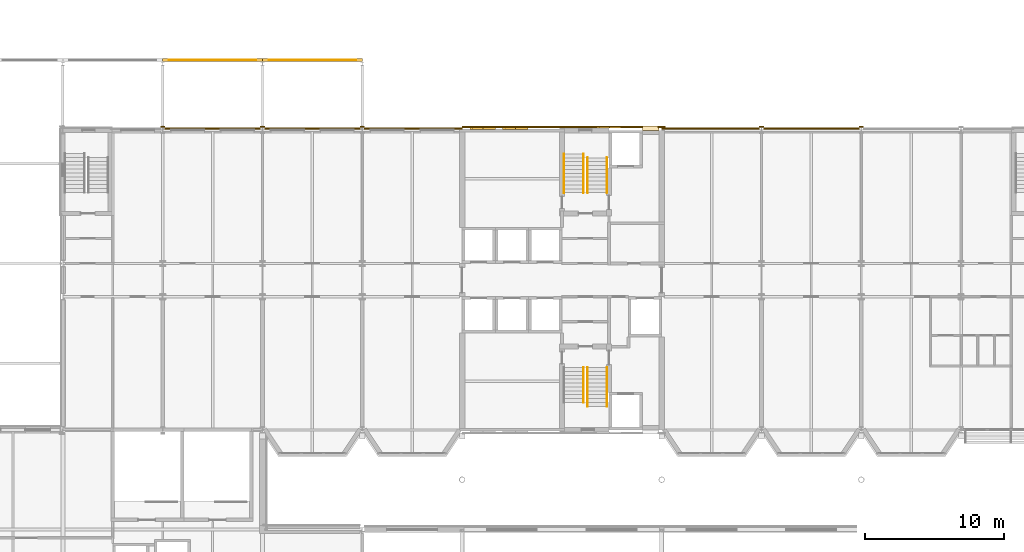
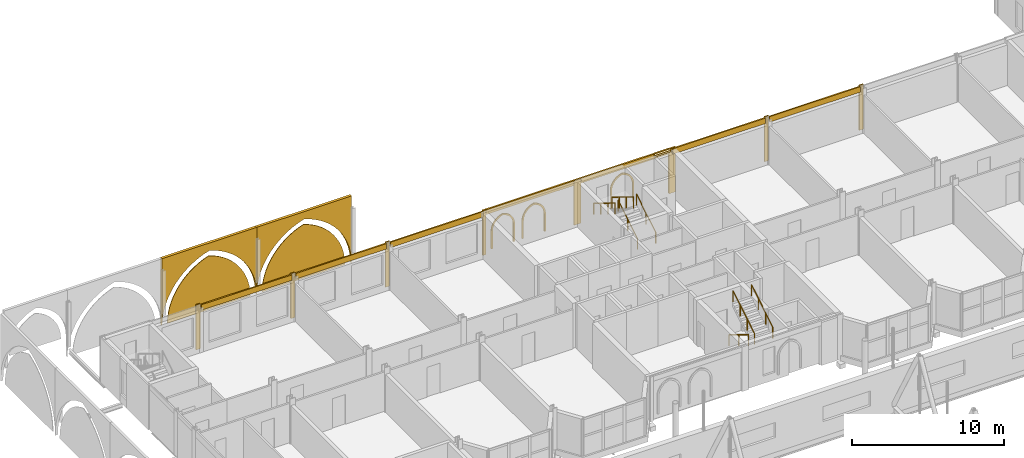
# One storey, part 129 of 142: 23 coverings, 7 railings.
"""IFC4 building model written with IfcOpenShell, lengths in metres."""

from ifc_helpers import new_model, si_unit, direction, frame, origin, origin_2d, place, context, subcontext, project, spatial, polyline, rectangle, circle, outline, extrude, material, layer, layer_set, type_object, element, save


model = new_model("IFC4")

# Units and contexts
model_context = context("Model", 3, precision=1e-05, world=origin(), true_north=direction((0.0, 1.0)))
body_context = subcontext(model_context, "Body", "Model", "MODEL_VIEW")
ifc_project = project(units=[si_unit("LENGTHUNIT", "METRE"), si_unit("AREAUNIT", "SQUARE_METRE"), si_unit("VOLUMEUNIT", "CUBIC_METRE"), si_unit("PLANEANGLEUNIT", "RADIAN"), si_unit("MASSUNIT", "GRAM", prefix="KILO")], contexts=[model_context])

# Site, building, storey
site_placement = place(None, origin())
site = spatial("IfcSite", under=ifc_project, at=site_placement, CompositionType="ELEMENT")
building_placement = place(site_placement, origin())
building = spatial("IfcBuilding", under=site, at=building_placement, Name="Kupolbacken Congress Centre", CompositionType="ELEMENT")
storey_placement = place(building_placement, frame((0.0, 0.0, 14.39990234375)))
storey = spatial("IfcBuildingStorey", under=building, at=storey_placement, Name="L04", CompositionType="ELEMENT", Elevation=14.39990234375)

# Coverings
ifc_material_1 = material(Name="Limestone cladding", Category="masonry")
ifc_layer_1 = layer(ifc_material_1, 0.1201171875)
ifc_layer_set_1 = layer_set([ifc_layer_1], Name="Limestone cladding")
covering_type_1 = type_object("IfcCoveringType", Name="CV1 limestone cladding band 120", PredefinedType="CLADDING", material=ifc_layer_set_1)
covering_1_placement = place(storey_placement, frame((118.800048828125, 144.137451171875, 3.16015625), z_axis=(0.0, 0.0, 1.0), x_axis=(-1.0, 0.0, 0.0)))
element("IfcCovering", 1, at=covering_1_placement, inside=storey, type_object=covering_type_1, Name="E/T/N/L04/049/band", PredefinedType="CLADDING", context=body_context, shape_type="SweptSolid", body=[
    extrude(rectangle(XDim=6.89306640625, YDim=0.10498046875, at=origin_2d()), origin(), (0.0, 0.0, 1.0), 0.43994140625),
])
covering_2_placement = place(storey_placement, frame((111.523193359375, 144.137451171875, 3.16015625), z_axis=(0.0, 0.0, 1.0), x_axis=(-1.0, 0.0, 0.0)))
element("IfcCovering", 2, at=covering_2_placement, inside=storey, type_object=covering_type_1, Name="E/T/N/L04/050/band", PredefinedType="CLADDING", context=body_context, shape_type="SweptSolid", body=[
    extrude(rectangle(XDim=7.04638671875, YDim=0.10498046875, at=origin_2d()), origin(), (0.0, 0.0, 1.0), 0.43994140625),
])
covering_3_placement = place(storey_placement, frame((107.199951171875, 144.155029296875, 3.4599609375), z_axis=(0.0, 0.0, 1.0), x_axis=(-1.0, 0.0, 0.0)))
element("IfcCovering", 3, at=covering_3_placement, inside=storey, type_object=covering_type_1, Name="E/T/N/L04/051/band", PredefinedType="CLADDING", context=body_context, shape_type="SweptSolid", body=[
    extrude(rectangle(XDim=1.199951171875, YDim=0.31005859375, at=origin_2d()), origin(), (0.0, 0.0, 1.0), 0.139892578125),
])
covering_4_placement = place(storey_placement, frame((90.07666015625, 144.137451171875, 3.16015625), z_axis=(0.0, 0.0, 1.0), x_axis=(-1.0, 0.0, 0.0)))
element("IfcCovering", 4, at=covering_4_placement, inside=storey, type_object=covering_type_1, Name="E/T/N/L04/052/band", PredefinedType="CLADDING", context=body_context, shape_type="SweptSolid", body=[
    extrude(rectangle(XDim=7.04638671875, YDim=0.10498046875, at=origin_2d()), origin(), (0.0, 0.0, 1.0), 0.43994140625),
])
for number, where, z_axis, x_axis, name in (
    (5, (82.800048828125, 144.137451171875, 3.16015625), (0.0, 0.0, 1.0), (-1.0, 0.0, 0.0), "E/T/N/L04/053/band"),
    (6, (75.60009765625, 144.137451171875, 3.16015625), (0.0, 0.0, 1.0), (-1.0, 0.0, 0.0), "E/T/N/L04/054/band"),
):
    element("IfcCovering", number, at=place(storey_placement, frame(where, z_axis=z_axis, x_axis=x_axis)), inside=storey, type_object=covering_type_1, Name=name, PredefinedType="CLADDING", context=body_context, shape_type="SweptSolid", body=[
        extrude(rectangle(XDim=6.89306640625, YDim=0.10498046875, at=origin_2d()), origin(), (0.0, 0.0, 1.0), 0.43994140625),
    ])
for number, where, z_axis, x_axis, name in (
    (7, (72.0, 148.97509765625, -7.199951171875), (0.0, 1.0, 0.0), (-1.0, 0.0, 0.0), "E/T/portal/N/spandrel72"),
    (8, (79.199951171875, 148.97509765625, -7.199951171875), (0.0, 1.0, 0.0), (-1.0, 0.0, 0.0), "E/T/portal/N/spandrel79.2"),
):
    element("IfcCovering", number, at=place(storey_placement, frame(where, z_axis=z_axis, x_axis=x_axis)), inside=storey, type_object=covering_type_1, Name=name, PredefinedType="CLADDING", context=body_context, shape_type="SweptSolid", body=[
        extrude(outline(polyline([(0.0, 6.199951171875), (0.0, 11.60009765625), (-7.199951171875, 11.60009765625), (-7.199951171875, 6.199951171875), (-7.178955078125, 6.658935546875), (-7.11572265625, 7.114013671875), (-7.010986328125, 7.5615234375), (-6.86572265625, 7.997314453125), (-6.68115234375, 8.418212890625), (-6.45849609375, 8.820068359375), (-6.199951171875, 9.199951171875), (-5.90771484375, 9.554443359375), (-5.583984375, 9.880615234375), (-5.23193359375, 10.17578125), (-4.854248046875, 10.4375), (-4.4541015625, 10.6630859375), (-4.03466796875, 10.851318359375), (-3.60009765625, 11.0), (-3.165283203125, 10.851318359375), (-2.74609375, 10.6630859375), (-2.345703125, 10.4375), (-1.968017578125, 10.17578125), (-1.615966796875, 9.880615234375), (-1.292236328125, 9.554443359375), (-1.0, 9.199951171875), (-0.741455078125, 8.820068359375), (-0.518798828125, 8.418212890625), (-0.334228515625, 7.997314453125), (-0.18896484375, 7.5615234375), (-0.084228515625, 7.114013671875), (-0.02099609375, 6.658935546875), (0.0, 6.199951171875)])), origin(), (0.0, 0.0, 1.0), 0.199951171875),
    ])
for number, where, z_axis, x_axis, name in (
    (9, (72.0, 144.26611328125, 0.0), (0.0, 0.0, 1.0), (1.0, 0.0, 0.0), "E/T/pilaster/L04/C-T-11W/N"),
    (10, (79.199951171875, 144.26611328125, 0.0), (0.0, 0.0, 1.0), (1.0, 0.0, 0.0), "E/T/pilaster/L04/C-T-12W/N"),
    (11, (86.39990234375, 144.26611328125, 0.0), (0.0, 0.0, 1.0), (1.0, 0.0, 0.0), "E/T/pilaster/L04/C-T-13W/N"),
    (12, (115.199951171875, 144.26611328125, 0.0), (0.0, 0.0, 1.0), (1.0, 0.0, 0.0), "E/T/pilaster/L04/C-T-17W/N"),
    (13, (122.39990234375, 144.26611328125, 0.0), (0.0, 0.0, 1.0), (1.0, 0.0, 0.0), "E/T/pilaster/L04/C-T-18W/N"),
):
    element("IfcCovering", number, at=place(storey_placement, frame(where, z_axis=z_axis, x_axis=x_axis)), inside=storey, type_object=covering_type_1, Name=name, PredefinedType="CLADDING", context=body_context, shape_type="SweptSolid", body=[
        extrude(rectangle(XDim=0.306884765625, YDim=0.10009765625, at=origin_2d()), origin(), (0.0, 0.0, 1.0), 3.60009765625),
    ])
covering_5_placement = place(storey_placement, frame((93.72509765625, 144.235107421875, 0.0), z_axis=(0.0, 0.0, 1.0), x_axis=(1.0, 0.0, 0.0)))
element("IfcCovering", 14, at=covering_5_placement, inside=storey, type_object=covering_type_1, Name="E/T/stripe/N/L04/pil93.6", PredefinedType="CLADDING", context=body_context, shape_type="SweptSolid", body=[
    extrude(rectangle(XDim=0.25, YDim=0.1201171875, at=origin_2d()), origin(), (0.0, 0.0, 1.0), 3.60009765625),
])
for number, where, z_axis, x_axis, name in (
    (15, (100.800048828125, 144.235107421875, 0.0), (0.0, 0.0, 1.0), (1.0, 0.0, 0.0), "E/T/stripe/N/L04/pil100.8"),
    (16, (108.0, 144.235107421875, 0.0), (0.0, 0.0, 1.0), (1.0, 0.0, 0.0), "E/T/stripe/N/L04/pil108"),
):
    element("IfcCovering", number, at=place(storey_placement, frame(where, z_axis=z_axis, x_axis=x_axis)), inside=storey, type_object=covering_type_1, Name=name, PredefinedType="CLADDING", context=body_context, shape_type="SweptSolid", body=[
        extrude(rectangle(XDim=0.5, YDim=0.1201171875, at=origin_2d()), origin(), (0.0, 0.0, 1.0), 3.60009765625),
    ])
covering_6_placement = place(storey_placement, frame((97.199951171875, 144.235107421875, 3.2001953125), z_axis=(0.0, 0.0, 1.0), x_axis=(1.0, 0.0, 0.0)))
element("IfcCovering", 17, at=covering_6_placement, inside=storey, type_object=covering_type_1, Name="E/T/stripe/N/L04/belt93.6", PredefinedType="CLADDING", context=body_context, shape_type="SweptSolid", body=[
    extrude(rectangle(XDim=6.699951171875, YDim=0.1201171875, at=origin_2d()), origin(), (0.0, 0.0, 1.0), 0.39990234375),
])
covering_7_placement = place(storey_placement, frame((94.199951171875, 144.10009765625, 0.35009765625), z_axis=(0.0, 1.0, 0.0), x_axis=(-1.0, 0.0, 0.0)))
element("IfcCovering", 18, at=covering_7_placement, inside=storey, type_object=covering_type_1, Name="E/T/stripe/N/L04/niche93.6/1", PredefinedType="CLADDING", context=body_context, shape_type="SweptSolid", body=[
    extrude(outline(polyline([(0.0, 0.0), (0.0, 1.43408203125), (-0.00537109375, 1.54443359375), (-0.021484375, 1.654052734375), (-0.048095703125, 1.761474609375), (-0.084716796875, 1.86572265625), (-0.131591796875, 1.966064453125), (-0.187744140625, 2.061279296875), (-0.2529296875, 2.15087890625), (-0.32666015625, 2.2333984375), (-0.40771484375, 2.30859375), (-0.495849609375, 2.37548828125), (-0.590087890625, 2.433837890625), (-0.689453125, 2.482421875), (-0.793212890625, 2.521240234375), (-0.89990234375, 2.550048828125), (-1.0068359375, 2.521240234375), (-1.110595703125, 2.482421875), (-1.2099609375, 2.433837890625), (-1.30419921875, 2.37548828125), (-1.39208984375, 2.30859375), (-1.473388671875, 2.2333984375), (-1.547119140625, 2.15087890625), (-1.6123046875, 2.061279296875), (-1.66845703125, 1.966064453125), (-1.715087890625, 1.86572265625), (-1.751953125, 1.761474609375), (-1.778564453125, 1.654052734375), (-1.794677734375, 1.54443359375), (-1.800048828125, 1.43408203125), (-1.800048828125, 0.0), (-1.679931640625, 0.0), (-1.679931640625, 1.43408203125), (-1.67529296875, 1.531005859375), (-1.66162109375, 1.627197265625), (-1.638671875, 1.7216796875), (-1.60693359375, 1.8134765625), (-1.566650390625, 1.90185546875), (-1.51806640625, 1.986083984375), (-1.461669921875, 2.065185546875), (-1.398193359375, 2.138916015625), (-1.327880859375, 2.205810546875), (-1.25146484375, 2.26611328125), (-1.169677734375, 2.318603515625), (-1.08349609375, 2.36328125), (-0.9931640625, 2.3994140625), (-0.89990234375, 2.427001953125), (-0.806884765625, 2.3994140625), (-0.716552734375, 2.36328125), (-0.63037109375, 2.318603515625), (-0.548583984375, 2.26611328125), (-0.47216796875, 2.205810546875), (-0.40185546875, 2.138916015625), (-0.33837890625, 2.065185546875), (-0.281982421875, 1.986083984375), (-0.2333984375, 1.90185546875), (-0.193115234375, 1.8134765625), (-0.161376953125, 1.7216796875), (-0.138427734375, 1.627197265625), (-0.12451171875, 1.531005859375), (-0.1201171875, 1.43408203125), (-0.1201171875, 0.0), (0.0, 0.0)])), origin(), (0.0, 0.0, 1.0), 0.080078125),
])
covering_8_placement = place(storey_placement, frame((96.550048828125, 144.10009765625, 0.35009765625), z_axis=(0.0, 1.0, 0.0), x_axis=(-1.0, 0.0, 0.0)))
element("IfcCovering", 19, at=covering_8_placement, inside=storey, type_object=covering_type_1, Name="E/T/stripe/N/L04/niche93.6/2", PredefinedType="CLADDING", context=body_context, shape_type="SweptSolid", body=[
    extrude(outline(polyline([(0.0, 0.0), (0.0, 1.43408203125), (-0.00537109375, 1.54443359375), (-0.021484375, 1.654052734375), (-0.048095703125, 1.761474609375), (-0.084716796875, 1.86572265625), (-0.131591796875, 1.966064453125), (-0.187744140625, 2.061279296875), (-0.2529296875, 2.15087890625), (-0.32666015625, 2.2333984375), (-0.40771484375, 2.30859375), (-0.495849609375, 2.37548828125), (-0.590087890625, 2.433837890625), (-0.689453125, 2.482421875), (-0.793212890625, 2.521240234375), (-0.89990234375, 2.550048828125), (-1.0068359375, 2.521240234375), (-1.110595703125, 2.482421875), (-1.2099609375, 2.433837890625), (-1.30419921875, 2.37548828125), (-1.39208984375, 2.30859375), (-1.473388671875, 2.2333984375), (-1.547119140625, 2.15087890625), (-1.6123046875, 2.061279296875), (-1.66845703125, 1.966064453125), (-1.715087890625, 1.86572265625), (-1.751953125, 1.761474609375), (-1.778564453125, 1.654052734375), (-1.794677734375, 1.54443359375), (-1.800048828125, 1.43408203125), (-1.800048828125, 0.0), (-1.679931640625, 0.0), (-1.679931640625, 1.43408203125), (-1.67529296875, 1.531005859375), (-1.66162109375, 1.627197265625), (-1.638671875, 1.7216796875), (-1.60693359375, 1.8134765625), (-1.566650390625, 1.90185546875), (-1.51806640625, 1.986083984375), (-1.461669921875, 2.065185546875), (-1.398193359375, 2.138916015625), (-1.327880859375, 2.205810546875), (-1.25146484375, 2.26611328125), (-1.169677734375, 2.318603515625), (-1.08349609375, 2.36328125), (-0.9931640625, 2.3994140625), (-0.89990234375, 2.427001953125), (-0.806884765625, 2.3994140625), (-0.716552734375, 2.36328125), (-0.63037109375, 2.318603515625), (-0.548583984375, 2.26611328125), (-0.47216796875, 2.205810546875), (-0.40185546875, 2.138916015625), (-0.33837890625, 2.065185546875), (-0.281982421875, 1.986083984375), (-0.2333984375, 1.90185546875), (-0.193115234375, 1.8134765625), (-0.161376953125, 1.7216796875), (-0.138427734375, 1.627197265625), (-0.12451171875, 1.531005859375), (-0.1201171875, 1.43408203125), (-0.1201171875, 0.0), (0.0, 0.0)])), origin(), (0.0, 0.0, 1.0), 0.080078125),
])
covering_9_placement = place(storey_placement, frame((104.39990234375, 144.235107421875, 3.2001953125), z_axis=(0.0, 0.0, 1.0), x_axis=(1.0, 0.0, 0.0)))
element("IfcCovering", 20, at=covering_9_placement, inside=storey, type_object=covering_type_1, Name="E/T/stripe/N/L04/belt100.8", PredefinedType="CLADDING", context=body_context, shape_type="SweptSolid", body=[
    extrude(rectangle(XDim=6.699951171875, YDim=0.1201171875, at=origin_2d()), origin(), (0.0, 0.0, 1.0), 0.39990234375),
])
covering_10_placement = place(storey_placement, frame((103.300048828125, 144.175048828125, 0.35009765625), z_axis=(0.0, 1.0, 0.0), x_axis=(-1.0, 0.0, 0.0)))
element("IfcCovering", 21, at=covering_10_placement, inside=storey, type_object=covering_type_1, Name="E/T/stripe/N/L04/niche100.8/1", PredefinedType="CLADDING", context=body_context, shape_type="SweptSolid", body=[
    extrude(outline(polyline([(0.0, 0.0), (0.0, 1.43408203125), (-0.00537109375, 1.54443359375), (-0.021484375, 1.654052734375), (-0.048095703125, 1.761474609375), (-0.084716796875, 1.86572265625), (-0.131591796875, 1.966064453125), (-0.187744140625, 2.061279296875), (-0.2529296875, 2.15087890625), (-0.32666015625, 2.2333984375), (-0.40771484375, 2.30859375), (-0.495849609375, 2.37548828125), (-0.590087890625, 2.433837890625), (-0.689453125, 2.482421875), (-0.793212890625, 2.521240234375), (-0.89990234375, 2.550048828125), (-1.0068359375, 2.521240234375), (-1.110595703125, 2.482421875), (-1.2099609375, 2.433837890625), (-1.30419921875, 2.37548828125), (-1.39208984375, 2.30859375), (-1.473388671875, 2.2333984375), (-1.547119140625, 2.15087890625), (-1.6123046875, 2.061279296875), (-1.66845703125, 1.966064453125), (-1.715087890625, 1.86572265625), (-1.751953125, 1.761474609375), (-1.778564453125, 1.654052734375), (-1.794677734375, 1.54443359375), (-1.800048828125, 1.43408203125), (-1.800048828125, 0.0), (-1.679931640625, 0.0), (-1.679931640625, 1.43408203125), (-1.67529296875, 1.531005859375), (-1.66162109375, 1.627197265625), (-1.638671875, 1.7216796875), (-1.60693359375, 1.8134765625), (-1.566650390625, 1.90185546875), (-1.51806640625, 1.986083984375), (-1.461669921875, 2.065185546875), (-1.398193359375, 2.138916015625), (-1.327880859375, 2.205810546875), (-1.25146484375, 2.26611328125), (-1.169677734375, 2.318603515625), (-1.08349609375, 2.36328125), (-0.9931640625, 2.3994140625), (-0.89990234375, 2.427001953125), (-0.806884765625, 2.3994140625), (-0.716552734375, 2.36328125), (-0.63037109375, 2.318603515625), (-0.548583984375, 2.26611328125), (-0.47216796875, 2.205810546875), (-0.40185546875, 2.138916015625), (-0.33837890625, 2.065185546875), (-0.281982421875, 1.986083984375), (-0.2333984375, 1.90185546875), (-0.193115234375, 1.8134765625), (-0.161376953125, 1.7216796875), (-0.138427734375, 1.627197265625), (-0.12451171875, 1.531005859375), (-0.1201171875, 1.43408203125), (-0.1201171875, 0.0), (0.0, 0.0)])), origin(), (0.0, 0.0, 1.0), 0.080078125),
])
ifc_material_2 = material(Name="Glass", Category="glass")
ifc_layer_2 = layer(ifc_material_2, 0.0439453125)
ifc_layer_set_2 = layer_set([ifc_layer_2], Name="Glass")
covering_type_2 = type_object("IfcCoveringType", Name="GV1 glazed arch head 44", PredefinedType="CLADDING", material=ifc_layer_set_2)
for number, where, z_axis, x_axis, name in (
    (22, (72.0, 149.052978515625, -1.0), (0.0, 1.0, 0.0), (-1.0, 0.0, 0.0), "E/T/portal/N/screen72/head"),
    (23, (79.199951171875, 149.052978515625, -1.0), (0.0, 1.0, 0.0), (-1.0, 0.0, 0.0), "E/T/portal/N/screen79.2/head"),
):
    element("IfcCovering", number, at=place(storey_placement, frame(where, z_axis=z_axis, x_axis=x_axis)), inside=storey, type_object=covering_type_2, Name=name, PredefinedType="CLADDING", context=body_context, shape_type="SweptSolid", body=[
        extrude(outline(polyline([(-0.449951171875, 0.0), (-0.468505859375, 0.408203125), (-0.523193359375, 0.813232421875), (-0.6142578125, 1.2119140625), (-0.74072265625, 1.6005859375), (-0.901611328125, 1.976318359375), (-1.095458984375, 2.3359375), (-1.32080078125, 2.677001953125), (-1.575927734375, 2.996337890625), (-1.858642578125, 3.29150390625), (-2.166748046875, 3.560302734375), (-2.49755859375, 3.800048828125), (-2.8486328125, 4.00927734375), (-3.217041015625, 4.186279296875), (-3.60009765625, 4.329345703125), (-3.98291015625, 4.186279296875), (-4.351318359375, 4.00927734375), (-4.702392578125, 3.800048828125), (-5.033203125, 3.560302734375), (-5.34130859375, 3.29150390625), (-5.6240234375, 2.996337890625), (-5.879150390625, 2.677001953125), (-6.1044921875, 2.3359375), (-6.29833984375, 1.976318359375), (-6.459228515625, 1.6005859375), (-6.585693359375, 1.2119140625), (-6.6767578125, 0.813232421875), (-6.731689453125, 0.408203125), (-6.75, 0.0), (-0.449951171875, 0.0)])), origin(), (0.0, 0.0, 1.0), 0.0439453125),
    ])

# Railings
ifc_material_3 = material(Name="Steel S235", Category="steel")
railing_type = type_object("IfcRailingType", Name="RL3 handrail wall-mounted 900", PredefinedType="HANDRAIL", material=ifc_material_3)
railing_placement = place(storey_placement, frame((102.35009765625, 126.89501953125, 0.171630859375)))
element("IfcRailing", 24, at=railing_placement, inside=storey, type_object=railing_type, Name="C/stair/TS1/L04/HR1L", PredefinedType="HANDRAIL", context=body_context, shape_type="SweptSolid", body=[
    extrude(circle(Radius=0.02392578125, at=origin_2d()), frame((0.0, 0.0, 0.8759765625), z_axis=(0.0, -0.852873080145, 0.522118290393), x_axis=(1.0, 0.0, 0.0)), (0.0, 0.0, 1.0), 2.954833984375),
    extrude(circle(Radius=0.02099609375, at=origin_2d()), origin(), (0.0, 0.0, 1.0), 0.851806640625),
    extrude(circle(Radius=0.02099609375, at=origin_2d()), frame((0.0, -1.260009765625, 0.771484375)), (0.0, 0.0, 1.0), 0.851806640625),
    extrude(circle(Radius=0.02099609375, at=origin_2d()), frame((0.0, -2.52001953125, 1.542724609375)), (0.0, 0.0, 1.0), 0.851806640625),
])
for number, where, name in (
    (25, (102.64990234375, 124.094970703125, 1.8857421875), "C/stair/TS1/L04/HR2L"),
    (26, (104.050048828125, 124.094970703125, 1.8857421875), "C/stair/TS1/L04/HR2R"),
):
    element("IfcRailing", number, at=place(storey_placement, frame(where)), inside=storey, type_object=railing_type, Name=name, PredefinedType="HANDRAIL", context=body_context, shape_type="SweptSolid", body=[
        extrude(circle(Radius=0.02392578125, at=origin_2d()), frame((0.0, 0.0, 0.8759765625), z_axis=(0.0, 0.852845897599, 0.522162690116), x_axis=(-1.0, 0.0, 0.0)), (0.0, 0.0, 1.0), 3.283203125),
        extrude(circle(Radius=0.02099609375, at=origin_2d()), origin(), (0.0, 0.0, 1.0), 0.851806640625),
        extrude(circle(Radius=0.02099609375, at=origin_2d()), frame((0.0, 0.933349609375, 0.571533203125)), (0.0, 0.0, 1.0), 0.851806640625),
        extrude(circle(Radius=0.02099609375, at=origin_2d()), frame((0.0, 1.86669921875, 1.142822265625)), (0.0, 0.0, 1.0), 0.851806640625),
        extrude(circle(Radius=0.02099609375, at=origin_2d()), frame((0.0, 2.800048828125, 1.71435546875)), (0.0, 0.0, 1.0), 0.851806640625),
    ])
for number, where, name in (
    (27, (102.64990234375, 139.5048828125, 0.171630859375), "C/stair/TS2/L04/HR1L"),
    (28, (104.050048828125, 139.5048828125, 0.171630859375), "C/stair/TS2/L04/HR1R"),
):
    element("IfcRailing", number, at=place(storey_placement, frame(where)), inside=storey, type_object=railing_type, Name=name, PredefinedType="HANDRAIL", context=body_context, shape_type="SweptSolid", body=[
        extrude(circle(Radius=0.02392578125, at=origin_2d()), frame((0.0, 0.0, 0.8759765625), z_axis=(0.0, 0.852873080145, 0.522118290393), x_axis=(-1.0, 0.0, 0.0)), (0.0, 0.0, 1.0), 2.954833984375),
        extrude(circle(Radius=0.02099609375, at=origin_2d()), origin(), (0.0, 0.0, 1.0), 0.851806640625),
        extrude(circle(Radius=0.02099609375, at=origin_2d()), frame((0.0, 1.260009765625, 0.771484375)), (0.0, 0.0, 1.0), 0.851806640625),
        extrude(circle(Radius=0.02099609375, at=origin_2d()), frame((0.0, 2.52001953125, 1.542724609375)), (0.0, 0.0, 1.0), 0.851806640625),
    ])
for number, where, name in (
    (29, (102.35009765625, 142.304931640625, 1.8857421875), "C/stair/TS2/L04/HR2L"),
    (30, (100.949951171875, 142.304931640625, 1.8857421875), "C/stair/TS2/L04/HR2R"),
):
    element("IfcRailing", number, at=place(storey_placement, frame(where)), inside=storey, type_object=railing_type, Name=name, PredefinedType="HANDRAIL", context=body_context, shape_type="SweptSolid", body=[
        extrude(circle(Radius=0.02392578125, at=origin_2d()), frame((0.0, 0.0, 0.8759765625), z_axis=(0.0, -0.852845897599, 0.522162690116), x_axis=(1.0, 0.0, 0.0)), (0.0, 0.0, 1.0), 3.283203125),
        extrude(circle(Radius=0.02099609375, at=origin_2d()), origin(), (0.0, 0.0, 1.0), 0.851806640625),
        extrude(circle(Radius=0.02099609375, at=origin_2d()), frame((0.0, -0.933349609375, 0.571533203125)), (0.0, 0.0, 1.0), 0.851806640625),
        extrude(circle(Radius=0.02099609375, at=origin_2d()), frame((0.0, -1.86669921875, 1.142822265625)), (0.0, 0.0, 1.0), 0.851806640625),
        extrude(circle(Radius=0.02099609375, at=origin_2d()), frame((0.0, -2.800048828125, 1.71435546875)), (0.0, 0.0, 1.0), 0.851806640625),
    ])

save(model, "model.ifc")
